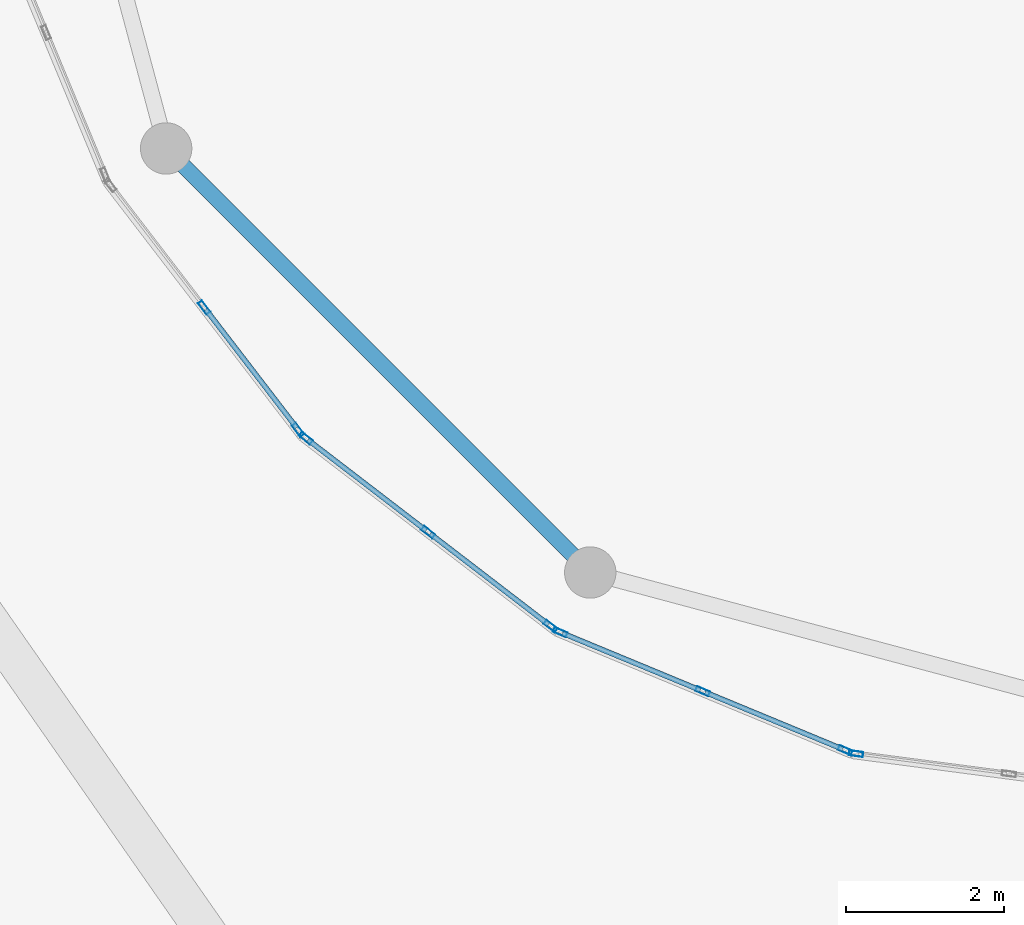
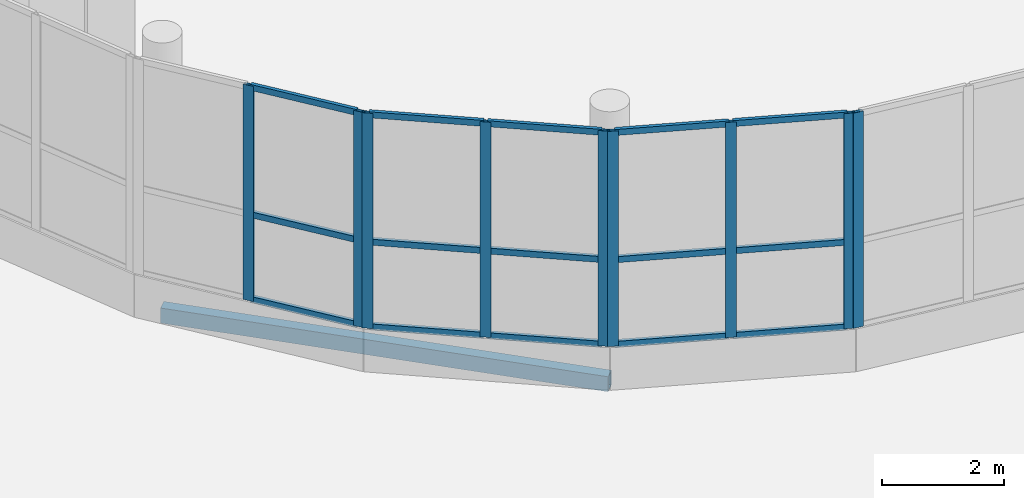
# One storey, part 5 of 101: 24 members, 1 beam, 4 elements without a shape of their own.
"""IFC4 building model written with IfcOpenShell, lengths in metres."""

from ifc_helpers import new_model, si_unit, direction, frame, origin, origin_2d, place, context, subcontext, project, spatial, hollow_rectangle, extrude, material, material_profile, profile_set, type_object, element, aggregate, save


model = new_model("IFC4")

# Units and contexts
model_context = context("Model", 3, precision=1e-05, world=origin(), true_north=direction((0.0, 1.0)))
body_context = subcontext(model_context, "Body", "Model", "MODEL_VIEW")
ifc_project = project(units=[si_unit("LENGTHUNIT", "METRE"), si_unit("AREAUNIT", "SQUARE_METRE"), si_unit("VOLUMEUNIT", "CUBIC_METRE"), si_unit("PLANEANGLEUNIT", "RADIAN"), si_unit("MASSUNIT", "GRAM", prefix="KILO")], contexts=[model_context])

# Site, building, storey
site_placement = place(None, origin())
site = spatial("IfcSite", under=ifc_project, at=site_placement, CompositionType="ELEMENT")
building_placement = place(site_placement, origin())
building = spatial("IfcBuilding", under=site, at=building_placement, Name="Selatvlak General Hospital", CompositionType="ELEMENT")
storey_placement = place(building_placement, frame((0.0, 0.0, 19.199951171875)))
storey = spatial("IfcBuildingStorey", under=building, at=storey_placement, Name="L04", CompositionType="ELEMENT", Elevation=19.199951171875)

# Beam
ifc_material_1 = material(Name="Steel S355", Category="steel")
ifc_material_profile_1 = material_profile(ifc_material_1, hollow_rectangle(XDim=0.199951171875, YDim=0.300048828125, WallThickness=0.011962890625, at=origin_2d()), Name="RHS 300x200x12")
ifc_profile_set_1 = profile_set([ifc_material_profile_1], Name="Steel S355")
beam_type = type_object("IfcBeamType", Name="BM-SP3", PredefinedType="SPANDREL", material=ifc_profile_set_1)
beam_placement = place(storey_placement, frame((85.31298828125, 46.675048828125, -0.454833984375), z_axis=(0.707106781187, -0.707106781187, 0.0), x_axis=(0.707106781187, 0.707106781187, 0.0)))
element("IfcBeam", 1, at=beam_placement, inside=storey, type_object=beam_type, Name="Beam BMR-L04-1793", PredefinedType="SPANDREL", context=body_context, shape_type="SweptSolid", body=[
    extrude(hollow_rectangle(XDim=0.199951171875, YDim=0.300048828125, WallThickness=0.011962890625, at=origin_2d()), origin(), (0.0, 0.0, 1.0), 7.5830078125),
])

# Curtain wall, member
ifc_material_2 = material(Name="Solar-control Low-E double glazing", Category="glass")
curtain_wall_type_1 = type_object("IfcCurtainWallType", Name="CW-CW-04", PredefinedType="USERDEFINED", material=ifc_material_2)
curtain_wall_1_placement = place(storey_placement, origin())
curtain_wall_1 = element("IfcCurtainWall", 2, at=curtain_wall_1_placement, inside=storey, type_object=curtain_wall_type_1, Name="Glazed facade curtain wall CW-L04-0525", ObjectType="STICK GLAZING WALL", PredefinedType="USERDEFINED")
ifc_material_3 = material(Name="Dark anodised aluminium mullion", Category="aluminium")
ifc_material_profile_2 = material_profile(ifc_material_3, hollow_rectangle(XDim=0.06494140625, YDim=0.179931640625, WallThickness=0.00439453125, at=origin_2d()), Name="AL-MUL 65x180x4.5")
ifc_profile_set_2 = profile_set([ifc_material_profile_2], Name="Dark anodised aluminium mullion")
member_type_1 = type_object("IfcMemberType", Name="CWM-02", PredefinedType="MULLION", material=ifc_profile_set_2)
member_1_placement = place(storey_placement, frame((94.0361328125, 39.021728515625, 0.85009765625), z_axis=(0.0, 0.0, 1.0), x_axis=(-0.130363194467, -0.991466306804, 0.0)))
member_1 = element("IfcMember", 3, at=member_1_placement, type_object=member_type_1, Name="CW-04 mullion 3", PredefinedType="MULLION", context=body_context, shape_type="SweptSolid", body=[
    extrude(hollow_rectangle(XDim=0.06494140625, YDim=0.179931640625, WallThickness=0.00439453125, at=origin_2d()), origin(), (0.0, 0.0, 1.0), 4.300048828125),
])
aggregate(curtain_wall_1, [member_1])

# Curtain wall, members
curtain_wall_type_2 = type_object("IfcCurtainWallType", Name="CW-CW-05", PredefinedType="USERDEFINED", material=ifc_material_2)
curtain_wall_2_placement = place(storey_placement, origin())
curtain_wall_2 = element("IfcCurtainWall", 4, at=curtain_wall_2_placement, inside=storey, type_object=curtain_wall_type_2, Name="Glazed facade curtain wall CW-L04-0526", ObjectType="STICK GLAZING WALL", PredefinedType="USERDEFINED")
member_2_placement = place(storey_placement, frame((93.89892578125, 39.0654296875, 0.85009765625), z_axis=(0.0, 0.0, 1.0), x_axis=(-0.382537390187, -0.92394001164, 0.0)))
member_2 = element("IfcMember", 5, at=member_2_placement, type_object=member_type_1, Name="CW-05 mullion 1", PredefinedType="MULLION", context=body_context, shape_type="SweptSolid", body=[
    extrude(hollow_rectangle(XDim=0.06494140625, YDim=0.179931640625, WallThickness=0.00439453125, at=origin_2d()), origin(), (0.0, 0.0, 1.0), 4.300048828125),
])
member_3_placement = place(storey_placement, frame((92.096923828125, 39.8115234375, 0.85009765625), z_axis=(0.0, 0.0, 1.0), x_axis=(-0.382537390187, -0.92394001164, 0.0)))
member_3 = element("IfcMember", 6, at=member_3_placement, type_object=member_type_1, Name="CW-05 mullion 2", PredefinedType="MULLION", context=body_context, shape_type="SweptSolid", body=[
    extrude(hollow_rectangle(XDim=0.06494140625, YDim=0.179931640625, WallThickness=0.00439453125, at=origin_2d()), origin(), (0.0, 0.0, 1.0), 4.300048828125),
])
member_4_placement = place(storey_placement, frame((90.294921875, 40.5576171875, 0.85009765625), z_axis=(0.0, 0.0, 1.0), x_axis=(-0.382537390187, -0.92394001164, 0.0)))
member_4 = element("IfcMember", 7, at=member_4_placement, type_object=member_type_1, Name="CW-05 mullion 3", PredefinedType="MULLION", context=body_context, shape_type="SweptSolid", body=[
    extrude(hollow_rectangle(XDim=0.06494140625, YDim=0.179931640625, WallThickness=0.00439453125, at=origin_2d()), origin(), (0.0, 0.0, 1.0), 4.300048828125),
])

curtain_wall_3_placement = place(storey_placement, origin())
curtain_wall_3 = element("IfcCurtainWall", 8, at=curtain_wall_3_placement, inside=storey, type_object=curtain_wall_type_1, Name="Glazed facade curtain wall CW-L04-0527", ObjectType="STICK GLAZING WALL", PredefinedType="USERDEFINED")
member_5_placement = place(storey_placement, frame((90.17333984375, 40.634765625, 0.85009765625), z_axis=(0.0, 0.0, 1.0), x_axis=(-0.608918417743, -0.793232853917, 0.0)))
member_5 = element("IfcMember", 9, at=member_5_placement, type_object=member_type_1, Name="CW-04 mullion 1", PredefinedType="MULLION", context=body_context, shape_type="SweptSolid", body=[
    extrude(hollow_rectangle(XDim=0.06494140625, YDim=0.179931640625, WallThickness=0.00439453125, at=origin_2d()), origin(), (0.0, 0.0, 1.0), 4.300048828125),
])
member_6_placement = place(storey_placement, frame((88.6259765625, 41.822509765625, 0.85009765625), z_axis=(0.0, 0.0, 1.0), x_axis=(-0.608918417743, -0.793232853917, 0.0)))
member_6 = element("IfcMember", 10, at=member_6_placement, type_object=member_type_1, Name="CW-04 mullion 2", PredefinedType="MULLION", context=body_context, shape_type="SweptSolid", body=[
    extrude(hollow_rectangle(XDim=0.06494140625, YDim=0.179931640625, WallThickness=0.00439453125, at=origin_2d()), origin(), (0.0, 0.0, 1.0), 4.300048828125),
])
member_7_placement = place(storey_placement, frame((87.078857421875, 43.01025390625, 0.85009765625), z_axis=(0.0, 0.0, 1.0), x_axis=(-0.608918417743, -0.793232853917, 0.0)))
member_7 = element("IfcMember", 11, at=member_7_placement, type_object=member_type_1, Name="CW-04 mullion 3", PredefinedType="MULLION", context=body_context, shape_type="SweptSolid", body=[
    extrude(hollow_rectangle(XDim=0.06494140625, YDim=0.179931640625, WallThickness=0.00439453125, at=origin_2d()), origin(), (0.0, 0.0, 1.0), 4.300048828125),
])

curtain_wall_4_placement = place(storey_placement, origin())
curtain_wall_4 = element("IfcCurtainWall", 12, at=curtain_wall_4_placement, inside=storey, type_object=curtain_wall_type_2, Name="Glazed facade curtain wall CW-L04-0528", ObjectType="STICK GLAZING WALL", PredefinedType="USERDEFINED")
member_8_placement = place(storey_placement, frame((86.982177734375, 43.11669921875, 0.85009765625), z_axis=(0.0, 0.0, 1.0), x_axis=(-0.793232853917, -0.608918417743, 0.0)))
member_8 = element("IfcMember", 13, at=member_8_placement, type_object=member_type_1, Name="CW-05 mullion 1", PredefinedType="MULLION", context=body_context, shape_type="SweptSolid", body=[
    extrude(hollow_rectangle(XDim=0.06494140625, YDim=0.179931640625, WallThickness=0.00439453125, at=origin_2d()), origin(), (0.0, 0.0, 1.0), 4.300048828125),
])
member_9_placement = place(storey_placement, frame((85.79443359375, 44.6640625, 0.85009765625), z_axis=(0.0, 0.0, 1.0), x_axis=(-0.793232853917, -0.608918417743, 0.0)))
member_9 = element("IfcMember", 14, at=member_9_placement, type_object=member_type_1, Name="CW-05 mullion 2", PredefinedType="MULLION", context=body_context, shape_type="SweptSolid", body=[
    extrude(hollow_rectangle(XDim=0.06494140625, YDim=0.179931640625, WallThickness=0.00439453125, at=origin_2d()), origin(), (0.0, 0.0, 1.0), 4.300048828125),
])

# Member
ifc_material_profile_3 = material_profile(ifc_material_3, hollow_rectangle(XDim=0.06494140625, YDim=0.1201171875, WallThickness=0.00390625, at=origin_2d()), Name="AL-TRN 65x120x4")
ifc_profile_set_3 = profile_set([ifc_material_profile_3], Name="Dark anodised aluminium mullion")
member_type_2 = type_object("IfcMemberType", Name="CWT-01", PredefinedType="USERDEFINED", material=ifc_profile_set_3)
member_10_placement = place(storey_placement, frame((93.868896484375, 39.077880859375, 0.882568359375), z_axis=(-0.923944246195, 0.382527162335, 0.0), x_axis=(-0.382527162335, -0.923944246195, 0.0)))
member_10 = element("IfcMember", 15, at=member_10_placement, type_object=member_type_2, Name="CW-05 transom 1.1", ObjectType="TRANSOM", PredefinedType="USERDEFINED", context=body_context, shape_type="SweptSolid", body=[
    extrude(hollow_rectangle(XDim=0.06494140625, YDim=0.1201171875, WallThickness=0.00390625, at=origin_2d()), origin(), (0.0, 0.0, 1.0), 1.88525390625),
])

member_11_placement = place(storey_placement, frame((93.868896484375, 39.077880859375, 2.574951171875), z_axis=(-0.923944246195, 0.382527162335, 0.0), x_axis=(-0.382527162335, -0.923944246195, 0.0)))
member_11 = element("IfcMember", 16, at=member_11_placement, type_object=member_type_2, Name="CW-05 transom 1.2", ObjectType="TRANSOM", PredefinedType="USERDEFINED", context=body_context, shape_type="SweptSolid", body=[
    extrude(hollow_rectangle(XDim=0.06494140625, YDim=0.1201171875, WallThickness=0.00390625, at=origin_2d()), origin(), (0.0, 0.0, 1.0), 1.88525390625),
])

member_12_placement = place(storey_placement, frame((93.868896484375, 39.077880859375, 5.117431640625), z_axis=(-0.923944246195, 0.382527162335, 0.0), x_axis=(-0.382527162335, -0.923944246195, 0.0)))
member_12 = element("IfcMember", 17, at=member_12_placement, type_object=member_type_2, Name="CW-05 transom 1.3", ObjectType="TRANSOM", PredefinedType="USERDEFINED", context=body_context, shape_type="SweptSolid", body=[
    extrude(hollow_rectangle(XDim=0.06494140625, YDim=0.1201171875, WallThickness=0.00390625, at=origin_2d()), origin(), (0.0, 0.0, 1.0), 1.88525390625),
])

member_13_placement = place(storey_placement, frame((92.06689453125, 39.823974609375, 0.882568359375), z_axis=(-0.923944246195, 0.382527162335, 0.0), x_axis=(-0.382527162335, -0.923944246195, 0.0)))
member_13 = element("IfcMember", 18, at=member_13_placement, type_object=member_type_2, Name="CW-05 transom 2.1", ObjectType="TRANSOM", PredefinedType="USERDEFINED", context=body_context, shape_type="SweptSolid", body=[
    extrude(hollow_rectangle(XDim=0.06494140625, YDim=0.1201171875, WallThickness=0.00390625, at=origin_2d()), origin(), (0.0, 0.0, 1.0), 1.88525390625),
])

member_14_placement = place(storey_placement, frame((92.06689453125, 39.823974609375, 2.574951171875), z_axis=(-0.923944246195, 0.382527162335, 0.0), x_axis=(-0.382527162335, -0.923944246195, 0.0)))
member_14 = element("IfcMember", 19, at=member_14_placement, type_object=member_type_2, Name="CW-05 transom 2.2", ObjectType="TRANSOM", PredefinedType="USERDEFINED", context=body_context, shape_type="SweptSolid", body=[
    extrude(hollow_rectangle(XDim=0.06494140625, YDim=0.1201171875, WallThickness=0.00390625, at=origin_2d()), origin(), (0.0, 0.0, 1.0), 1.88525390625),
])

member_15_placement = place(storey_placement, frame((92.06689453125, 39.823974609375, 5.117431640625), z_axis=(-0.923944246195, 0.382527162335, 0.0), x_axis=(-0.382527162335, -0.923944246195, 0.0)))
member_15 = element("IfcMember", 20, at=member_15_placement, type_object=member_type_2, Name="CW-05 transom 2.3", ObjectType="TRANSOM", PredefinedType="USERDEFINED", context=body_context, shape_type="SweptSolid", body=[
    extrude(hollow_rectangle(XDim=0.06494140625, YDim=0.1201171875, WallThickness=0.00390625, at=origin_2d()), origin(), (0.0, 0.0, 1.0), 1.88525390625),
])

aggregate(curtain_wall_2, [member_2, member_3, member_4, member_10, member_11, member_12, member_13, member_14, member_15])

member_16_placement = place(storey_placement, frame((90.1474609375, 40.654541015625, 0.882568359375), z_axis=(-0.793206055297, 0.608953326487, 0.0), x_axis=(-0.608953326487, -0.793206055297, 0.0)))
member_16 = element("IfcMember", 21, at=member_16_placement, type_object=member_type_2, Name="CW-04 transom 1.1", ObjectType="TRANSOM", PredefinedType="USERDEFINED", context=body_context, shape_type="SweptSolid", body=[
    extrude(hollow_rectangle(XDim=0.06494140625, YDim=0.1201171875, WallThickness=0.00390625, at=origin_2d()), origin(), (0.0, 0.0, 1.0), 1.885498046875),
])

member_17_placement = place(storey_placement, frame((90.1474609375, 40.654541015625, 2.574951171875), z_axis=(-0.793206055297, 0.608953326487, 0.0), x_axis=(-0.608953326487, -0.793206055297, 0.0)))
member_17 = element("IfcMember", 22, at=member_17_placement, type_object=member_type_2, Name="CW-04 transom 1.2", ObjectType="TRANSOM", PredefinedType="USERDEFINED", context=body_context, shape_type="SweptSolid", body=[
    extrude(hollow_rectangle(XDim=0.06494140625, YDim=0.1201171875, WallThickness=0.00390625, at=origin_2d()), origin(), (0.0, 0.0, 1.0), 1.885498046875),
])

member_18_placement = place(storey_placement, frame((90.1474609375, 40.654541015625, 5.117431640625), z_axis=(-0.793206055297, 0.608953326487, 0.0), x_axis=(-0.608953326487, -0.793206055297, 0.0)))
member_18 = element("IfcMember", 23, at=member_18_placement, type_object=member_type_2, Name="CW-04 transom 1.3", ObjectType="TRANSOM", PredefinedType="USERDEFINED", context=body_context, shape_type="SweptSolid", body=[
    extrude(hollow_rectangle(XDim=0.06494140625, YDim=0.1201171875, WallThickness=0.00390625, at=origin_2d()), origin(), (0.0, 0.0, 1.0), 1.885498046875),
])

member_19_placement = place(storey_placement, frame((88.600341796875, 41.84228515625, 0.882568359375), z_axis=(-0.793254062913, 0.608890787968, 0.0), x_axis=(-0.608890787968, -0.793254062913, 0.0)))
member_19 = element("IfcMember", 24, at=member_19_placement, type_object=member_type_2, Name="CW-04 transom 2.1", ObjectType="TRANSOM", PredefinedType="USERDEFINED", context=body_context, shape_type="SweptSolid", body=[
    extrude(hollow_rectangle(XDim=0.06494140625, YDim=0.1201171875, WallThickness=0.00390625, at=origin_2d()), origin(), (0.0, 0.0, 1.0), 1.8857421875),
])

member_20_placement = place(storey_placement, frame((88.600341796875, 41.84228515625, 2.574951171875), z_axis=(-0.793254062913, 0.608890787968, 0.0), x_axis=(-0.608890787968, -0.793254062913, 0.0)))
member_20 = element("IfcMember", 25, at=member_20_placement, type_object=member_type_2, Name="CW-04 transom 2.2", ObjectType="TRANSOM", PredefinedType="USERDEFINED", context=body_context, shape_type="SweptSolid", body=[
    extrude(hollow_rectangle(XDim=0.06494140625, YDim=0.1201171875, WallThickness=0.00390625, at=origin_2d()), origin(), (0.0, 0.0, 1.0), 1.8857421875),
])

member_21_placement = place(storey_placement, frame((88.600341796875, 41.84228515625, 5.117431640625), z_axis=(-0.793254062913, 0.608890787968, 0.0), x_axis=(-0.608890787968, -0.793254062913, 0.0)))
member_21 = element("IfcMember", 26, at=member_21_placement, type_object=member_type_2, Name="CW-04 transom 2.3", ObjectType="TRANSOM", PredefinedType="USERDEFINED", context=body_context, shape_type="SweptSolid", body=[
    extrude(hollow_rectangle(XDim=0.06494140625, YDim=0.1201171875, WallThickness=0.00390625, at=origin_2d()), origin(), (0.0, 0.0, 1.0), 1.8857421875),
])

aggregate(curtain_wall_3, [member_5, member_6, member_7, member_16, member_17, member_18, member_19, member_20, member_21])

member_22_placement = place(storey_placement, frame((86.96240234375, 43.142578125, 0.882568359375), z_axis=(-0.608953326487, 0.793206055297, 0.0), x_axis=(-0.793206055297, -0.608953326487, 0.0)))
member_22 = element("IfcMember", 27, at=member_22_placement, type_object=member_type_2, Name="CW-05 transom 1.1", ObjectType="TRANSOM", PredefinedType="USERDEFINED", context=body_context, shape_type="SweptSolid", body=[
    extrude(hollow_rectangle(XDim=0.06494140625, YDim=0.1201171875, WallThickness=0.00390625, at=origin_2d()), origin(), (0.0, 0.0, 1.0), 1.885498046875),
])

member_23_placement = place(storey_placement, frame((86.96240234375, 43.142578125, 2.574951171875), z_axis=(-0.608953326487, 0.793206055297, 0.0), x_axis=(-0.793206055297, -0.608953326487, 0.0)))
member_23 = element("IfcMember", 28, at=member_23_placement, type_object=member_type_2, Name="CW-05 transom 1.2", ObjectType="TRANSOM", PredefinedType="USERDEFINED", context=body_context, shape_type="SweptSolid", body=[
    extrude(hollow_rectangle(XDim=0.06494140625, YDim=0.1201171875, WallThickness=0.00390625, at=origin_2d()), origin(), (0.0, 0.0, 1.0), 1.885498046875),
])

member_24_placement = place(storey_placement, frame((86.96240234375, 43.142578125, 5.117431640625), z_axis=(-0.608953326487, 0.793206055297, 0.0), x_axis=(-0.793206055297, -0.608953326487, 0.0)))
member_24 = element("IfcMember", 29, at=member_24_placement, type_object=member_type_2, Name="CW-05 transom 1.3", ObjectType="TRANSOM", PredefinedType="USERDEFINED", context=body_context, shape_type="SweptSolid", body=[
    extrude(hollow_rectangle(XDim=0.06494140625, YDim=0.1201171875, WallThickness=0.00390625, at=origin_2d()), origin(), (0.0, 0.0, 1.0), 1.885498046875),
])

aggregate(curtain_wall_4, [member_8, member_9, member_22, member_23, member_24])

save(model, "model.ifc")
